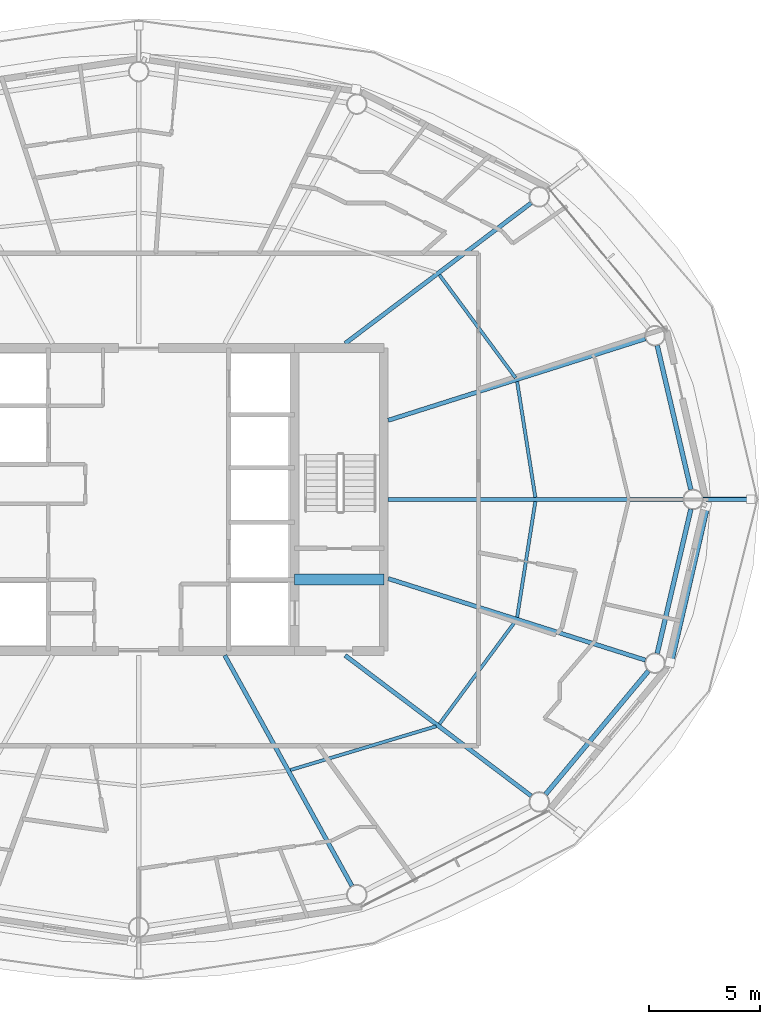
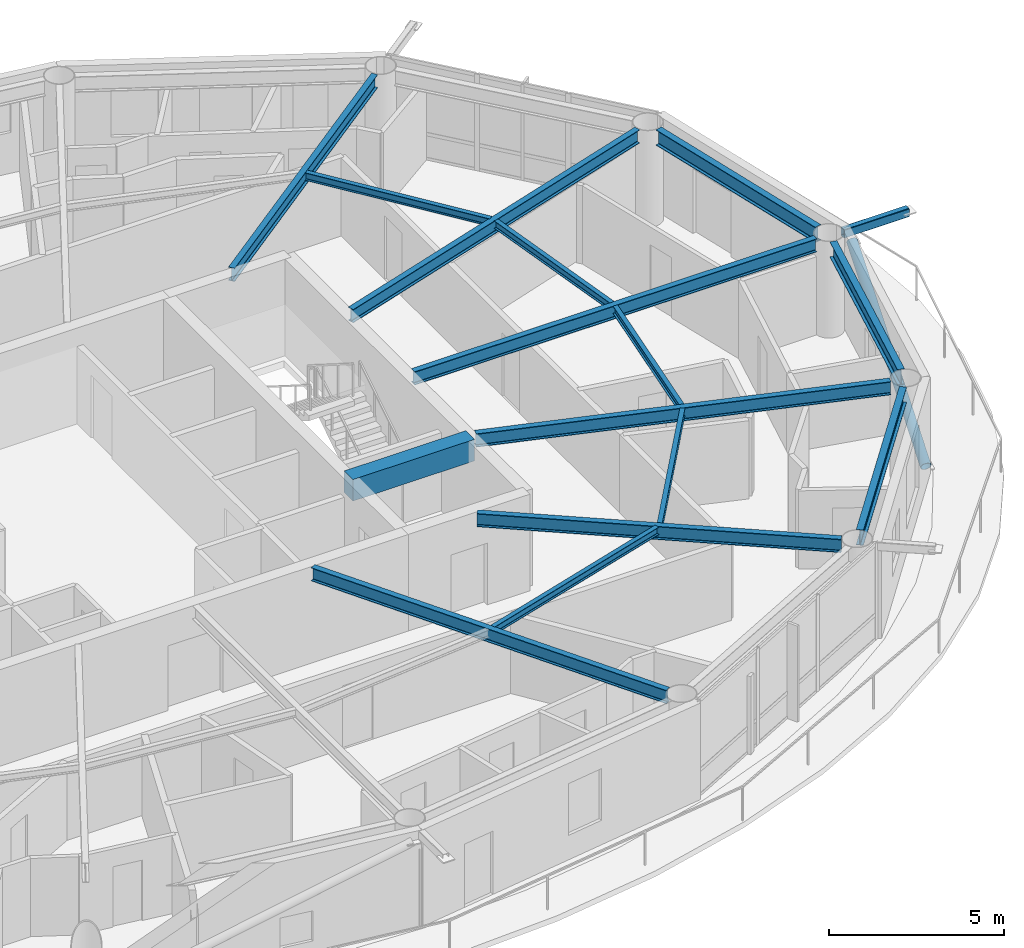
# One storey, part 6 of 23: 15 beams, 2 members.
"""IFC4 building model written with IfcOpenShell, lengths in metres."""

from ifc_helpers import new_model, si_unit, direction, frame, origin, origin_2d, place, context, subcontext, project, spatial, rectangle, hollow_rectangle, hollow_circle, i_section, extrude, material, material_profile, profile_set, type_object, element, save


model = new_model("IFC4")

# Units and contexts
model_context = context("Model", 3, precision=1e-05, world=origin(), true_north=direction((0.0, 1.0)))
body_context = subcontext(model_context, "Body", "Model", "MODEL_VIEW")
ifc_project = project(units=[si_unit("LENGTHUNIT", "METRE"), si_unit("AREAUNIT", "SQUARE_METRE"), si_unit("VOLUMEUNIT", "CUBIC_METRE"), si_unit("PLANEANGLEUNIT", "RADIAN"), si_unit("MASSUNIT", "GRAM", prefix="KILO")], contexts=[model_context])

# Site, building, storey
site_placement = place(None, origin())
site = spatial("IfcSite", under=ifc_project, at=site_placement, CompositionType="ELEMENT")
building_placement = place(site_placement, origin())
building = spatial("IfcBuilding", under=site, at=building_placement, Name="Sarneth Arch Tower", CompositionType="ELEMENT")
storey_placement = place(building_placement, frame((0.0, 0.0, 220.800048828125)))
storey = spatial("IfcBuildingStorey", under=building, at=storey_placement, Name="L56", CompositionType="ELEMENT", Elevation=220.800048828125)

# Beams
ifc_material_1 = material(Name="Steel S355", Category="steel")
ifc_material_profile_1 = material_profile(ifc_material_1, i_section(OverallWidth=0.14794921875, OverallDepth=0.26611328125, WebThickness=0.007568359375, FlangeThickness=0.012939453125, FilletRadius=0.012939453125, at=origin_2d()), Name="W250x44.8")
ifc_profile_set_1 = profile_set([ifc_material_profile_1], Name="Steel S355")
beam_type_1 = type_object("IfcBeamType", Name="BM-JOIST-250", PredefinedType="JOIST", material=ifc_profile_set_1)
beam_1_placement = place(storey_placement, frame((65.8017578125, 42.0947265625, 3.22705078125), z_axis=(-0.155421095795, 0.987848309702, 0.0), x_axis=(-0.987848309702, -0.155421095795, 0.0)))
element("IfcBeam", 1, at=beam_1_placement, inside=storey, type_object=beam_type_1, Name="L56 Secondary floor joist 01", PredefinedType="JOIST", context=body_context, shape_type="SweptSolid", body=[
    extrude(i_section(OverallWidth=0.14794921875, OverallDepth=0.26611328125, WebThickness=0.007568359375, FlangeThickness=0.012939453125, FilletRadius=0.012939453125, at=origin_2d()), origin(), (0.0, 0.0, 1.0), 5.256103515625),
])
beam_2_placement = place(storey_placement, frame((64.912841796875, 47.458740234375, 3.22705078125), z_axis=(-0.594557229879, 0.804053294501, 0.0), x_axis=(-0.804053294501, -0.594557229879, 0.0)))
element("IfcBeam", 2, at=beam_2_placement, inside=storey, type_object=beam_type_1, Name="L56 Secondary floor joist 02", PredefinedType="JOIST", context=body_context, shape_type="SweptSolid", body=[
    extrude(i_section(OverallWidth=0.14794921875, OverallDepth=0.26611328125, WebThickness=0.007568359375, FlangeThickness=0.012939453125, FilletRadius=0.012939453125, at=origin_2d()), origin(), (0.0, 0.0, 1.0), 5.74169921875),
])
beam_3_placement = place(storey_placement, frame((54.810546875, 29.85546875, 3.22705078125), z_axis=(0.957725851155, 0.287682453461, 0.0), x_axis=(-0.287682453461, 0.957725851155, 0.0)))
element("IfcBeam", 3, at=beam_3_placement, inside=storey, type_object=beam_type_1, Name="L56 Secondary floor joist 14", PredefinedType="JOIST", context=body_context, shape_type="SweptSolid", body=[
    extrude(i_section(OverallWidth=0.14794921875, OverallDepth=0.26611328125, WebThickness=0.007568359375, FlangeThickness=0.012939453125, FilletRadius=0.012939453125, at=origin_2d()), origin(), (0.0, 0.0, 1.0), 6.828125),
])
beam_4_placement = place(storey_placement, frame((61.4990234375, 31.924560546875, 3.22705078125), z_axis=(0.594557229879, 0.804053294501, 0.0), x_axis=(-0.804053294501, 0.594557229879, 0.0)))
element("IfcBeam", 4, at=beam_4_placement, inside=storey, type_object=beam_type_1, Name="L56 Secondary floor joist 15", PredefinedType="JOIST", context=body_context, shape_type="SweptSolid", body=[
    extrude(i_section(OverallWidth=0.14794921875, OverallDepth=0.26611328125, WebThickness=0.007568359375, FlangeThickness=0.012939453125, FilletRadius=0.012939453125, at=origin_2d()), origin(), (0.0, 0.0, 1.0), 5.74169921875),
])
beam_5_placement = place(storey_placement, frame((64.98486328125, 36.713134765625, 3.22705078125), z_axis=(0.155421095795, 0.987848309702, 0.0), x_axis=(-0.987848309702, 0.155421095795, 0.0)))
element("IfcBeam", 5, at=beam_5_placement, inside=storey, type_object=beam_type_1, Name="L56 Secondary floor joist 16", PredefinedType="JOIST", context=body_context, shape_type="SweptSolid", body=[
    extrude(i_section(OverallWidth=0.14794921875, OverallDepth=0.26611328125, WebThickness=0.007568359375, FlangeThickness=0.012939453125, FilletRadius=0.012939453125, at=origin_2d()), origin(), (0.0, 0.0, 1.0), 5.256103515625),
])
ifc_material_2 = material(Name="Concrete C50/60", Category="concrete")
ifc_material_profile_2 = material_profile(ifc_material_2, rectangle(XDim=0.5, YDim=0.75, at=origin_2d()), Name="RC-500x750")
ifc_profile_set_2 = profile_set([ifc_material_profile_2], Name="Concrete C50/60")
beam_type_2 = type_object("IfcBeamType", Name="BM-LINTEL-RC", PredefinedType="LINTEL", material=ifc_profile_set_2)
beam_6_placement = place(storey_placement, frame((55.0, 38.39990234375, 2.98486328125), z_axis=(1.0, 0.0, 0.0), x_axis=(0.0, 1.0, 0.0)))
element("IfcBeam", 6, at=beam_6_placement, inside=storey, type_object=beam_type_2, Name="L56 Core coupling lintel E", PredefinedType="LINTEL", context=body_context, shape_type="SweptSolid", body=[
    extrude(rectangle(XDim=0.5, YDim=0.75, at=origin_2d()), origin(), (0.0, 0.0, 1.0), 4.0),
])
ifc_material_3 = material(Name="Steel S355", Category="steel")
ifc_material_profile_3 = material_profile(ifc_material_3, i_section(OverallWidth=0.19189453125, OverallDepth=0.462890625, WebThickness=0.010498046875, FlangeThickness=0.017578125, FilletRadius=0.01806640625, at=origin_2d()), Name="W460x89")
ifc_profile_set_3 = profile_set([ifc_material_profile_3], Name="Steel S355")
beam_type_3 = type_object("IfcBeamType", Name="BM-RAD-460B", PredefinedType="BEAM", material=ifc_profile_set_3)
beam_7_placement = place(storey_placement, frame((59.199951171875, 42.0, 3.12841796875), z_axis=(1.0, 0.0, 0.0), x_axis=(0.0, 1.0, 0.0)))
element("IfcBeam", 7, at=beam_7_placement, inside=storey, type_object=beam_type_3, Name="L56 Radial floor girder 01", PredefinedType="BEAM", context=body_context, shape_type="SweptSolid", body=[
    extrude(i_section(OverallWidth=0.19189453125, OverallDepth=0.462890625, WebThickness=0.010498046875, FlangeThickness=0.017578125, FilletRadius=0.01806640625, at=origin_2d()), origin(), (0.0, 0.0, 1.0), 13.233154296875),
])
beam_8_placement = place(storey_placement, frame((59.199951171875, 45.5517578125, 3.12841796875), z_axis=(0.953215615433, 0.302291234563, 0.0), x_axis=(-0.302291234563, 0.953215615433, 0.0)))
element("IfcBeam", 8, at=beam_8_placement, inside=storey, type_object=beam_type_3, Name="L56 Radial floor girder 02", PredefinedType="BEAM", context=body_context, shape_type="SweptSolid", body=[
    extrude(i_section(OverallWidth=0.19189453125, OverallDepth=0.462890625, WebThickness=0.010498046875, FlangeThickness=0.017578125, FilletRadius=0.01806640625, at=origin_2d()), origin(), (0.0, 0.0, 1.0), 12.1064453125),
])
beam_9_placement = place(storey_placement, frame((57.26806640625, 49.0, 3.12841796875), z_axis=(0.79797356997, 0.602692443647, 0.0), x_axis=(-0.602692443647, 0.79797356997, 0.0)))
element("IfcBeam", 9, at=beam_9_placement, inside=storey, type_object=beam_type_3, Name="L56 Radial floor girder 03", PredefinedType="BEAM", context=body_context, shape_type="SweptSolid", body=[
    extrude(i_section(OverallWidth=0.19189453125, OverallDepth=0.462890625, WebThickness=0.010498046875, FlangeThickness=0.017578125, FilletRadius=0.01806640625, at=origin_2d()), origin(), (0.0, 0.0, 1.0), 10.461669921875),
])
beam_10_placement = place(storey_placement, frame((51.86376953125, 35.0, 3.12841796875), z_axis=(0.483218265038, -0.875499919094, 0.0), x_axis=(0.875499919094, 0.483218265038, 0.0)))
element("IfcBeam", 10, at=beam_10_placement, inside=storey, type_object=beam_type_3, Name="L56 Radial floor girder 14", PredefinedType="BEAM", context=body_context, shape_type="SweptSolid", body=[
    extrude(i_section(OverallWidth=0.19189453125, OverallDepth=0.462890625, WebThickness=0.010498046875, FlangeThickness=0.017578125, FilletRadius=0.01806640625, at=origin_2d()), origin(), (0.0, 0.0, 1.0), 11.8154296875),
])
beam_11_placement = place(storey_placement, frame((57.26806640625, 35.0, 3.12841796875), z_axis=(0.79797356997, -0.602692443647, 0.0), x_axis=(0.602692443647, 0.79797356997, 0.0)))
element("IfcBeam", 11, at=beam_11_placement, inside=storey, type_object=beam_type_3, Name="L56 Radial floor girder 15", PredefinedType="BEAM", context=body_context, shape_type="SweptSolid", body=[
    extrude(i_section(OverallWidth=0.19189453125, OverallDepth=0.462890625, WebThickness=0.010498046875, FlangeThickness=0.017578125, FilletRadius=0.01806640625, at=origin_2d()), origin(), (0.0, 0.0, 1.0), 10.461669921875),
])
beam_12_placement = place(storey_placement, frame((59.199951171875, 38.4482421875, 3.12841796875), z_axis=(0.953215615433, -0.302291234563, 0.0), x_axis=(0.302291234563, 0.953215615433, 0.0)))
element("IfcBeam", 12, at=beam_12_placement, inside=storey, type_object=beam_type_3, Name="L56 Radial floor girder 16", PredefinedType="BEAM", context=body_context, shape_type="SweptSolid", body=[
    extrude(i_section(OverallWidth=0.19189453125, OverallDepth=0.462890625, WebThickness=0.010498046875, FlangeThickness=0.017578125, FilletRadius=0.01806640625, at=origin_2d()), origin(), (0.0, 0.0, 1.0), 12.1064453125),
])
ifc_material_4 = material(Name="Steel S355", Category="steel")
ifc_material_profile_4 = material_profile(ifc_material_4, i_section(OverallWidth=0.2109375, OverallDepth=0.5390625, WebThickness=0.01171875, FlangeThickness=0.018798828125, FilletRadius=0.01806640625, at=origin_2d()), Name="W530x109")
ifc_profile_set_4 = profile_set([ifc_material_profile_4], Name="Steel S355")
beam_type_4 = type_object("IfcBeamType", Name="BM-RAD-530B", PredefinedType="BEAM", material=ifc_profile_set_4)
beam_13_placement = place(storey_placement, frame((72.781005859375, 42.438232421875, 3.09033203125), z_axis=(-0.227247037844, 0.973837144389, 0.0), x_axis=(-0.973837144389, -0.227247037844, 0.0)))
element("IfcBeam", 13, at=beam_13_placement, inside=storey, type_object=beam_type_4, Name="L56 Perimeter spandrel beam 01", PredefinedType="BEAM", context=body_context, shape_type="SweptSolid", body=[
    extrude(i_section(OverallWidth=0.2109375, OverallDepth=0.5390625, WebThickness=0.01171875, FlangeThickness=0.018798828125, FilletRadius=0.01806640625, at=origin_2d()), origin(), (0.0, 0.0, 1.0), 6.644775390625),
])
beam_14_placement = place(storey_placement, frame((66.263427734375, 28.769287109375, 3.09033203125), z_axis=(0.640390876881, 0.768049168222, 0.0), x_axis=(-0.768049168222, 0.640390876881, 0.0)))
element("IfcBeam", 14, at=beam_14_placement, inside=storey, type_object=beam_type_4, Name="L56 Perimeter spandrel beam 15", PredefinedType="BEAM", context=body_context, shape_type="SweptSolid", body=[
    extrude(i_section(OverallWidth=0.2109375, OverallDepth=0.5390625, WebThickness=0.01171875, FlangeThickness=0.018798828125, FilletRadius=0.01806640625, at=origin_2d()), origin(), (0.0, 0.0, 1.0), 7.2099609375),
])
beam_15_placement = place(storey_placement, frame((71.27099609375, 35.0908203125, 3.09033203125), z_axis=(0.227247037844, 0.973837144389, 0.0), x_axis=(-0.973837144389, 0.227247037844, 0.0)))
element("IfcBeam", 15, at=beam_15_placement, inside=storey, type_object=beam_type_4, Name="L56 Perimeter spandrel beam 16", PredefinedType="BEAM", context=body_context, shape_type="SweptSolid", body=[
    extrude(i_section(OverallWidth=0.2109375, OverallDepth=0.5390625, WebThickness=0.01171875, FlangeThickness=0.018798828125, FilletRadius=0.01806640625, at=origin_2d()), origin(), (0.0, 0.0, 1.0), 6.644775390625),
])

# Members
ifc_material_5 = material(Name="Steel S355", Category="steel")
ifc_material_profile_5 = material_profile(ifc_material_5, hollow_rectangle(XDim=0.199951171875, YDim=0.300048828125, WallThickness=0.012451171875, InnerFilletRadius=0.018798828125, OuterFilletRadius=0.03125, at=origin_2d()), Name="RHS300x200x12.5")
ifc_profile_set_5 = profile_set([ifc_material_profile_5], Name="Steel S355")
member_type_1 = type_object("IfcMemberType", Name="MEM-CANT-STRUT", PredefinedType="STRUT", material=ifc_profile_set_5)
member_1_placement = place(storey_placement, frame((73.333251953125, 42.0, 3.199951171875), z_axis=(1.0, 0.0, 0.0), x_axis=(0.0, 1.0, 0.0)))
element("IfcMember", 16, at=member_1_placement, inside=storey, type_object=member_type_1, Name="L56 Balcony cantilever bracket 01", PredefinedType="STRUT", context=body_context, shape_type="SweptSolid", body=[
    extrude(hollow_rectangle(XDim=0.199951171875, YDim=0.300048828125, WallThickness=0.012451171875, InnerFilletRadius=0.018798828125, OuterFilletRadius=0.03125, at=origin_2d()), origin(), (0.0, 0.0, 1.0), 2.139404296875),
])
ifc_material_6 = material(Name="Steel S355", Category="steel")
ifc_material_profile_6 = material_profile(ifc_material_6, hollow_circle(Radius=0.162109375, WallThickness=0.012451171875, at=origin_2d()), Name="CHS324x12.5")
ifc_profile_set_6 = profile_set([ifc_material_profile_6], Name="Steel S355")
member_type_2 = type_object("IfcMemberType", Name="MEM-DIAG-BR3", PredefinedType="BRACE", material=ifc_profile_set_6)
member_2_placement = place(storey_placement, frame((71.851806640625, 34.6845703125, 0.02001953125), z_axis=(0.207917989892, 0.898749333617, 0.386030756289), x_axis=(-0.974268900284, 0.225388797281, 0.0)))
element("IfcMember", 17, at=member_2_placement, inside=storey, type_object=member_type_2, Name="L56 Perimeter frame diagonal 16", PredefinedType="BRACE", context=body_context, shape_type="SweptSolid", body=[
    extrude(hollow_circle(Radius=0.162109375, WallThickness=0.012451171875, at=origin_2d()), origin(), (0.0, 0.0, 1.0), 7.814453125),
])

save(model, "model.ifc")
